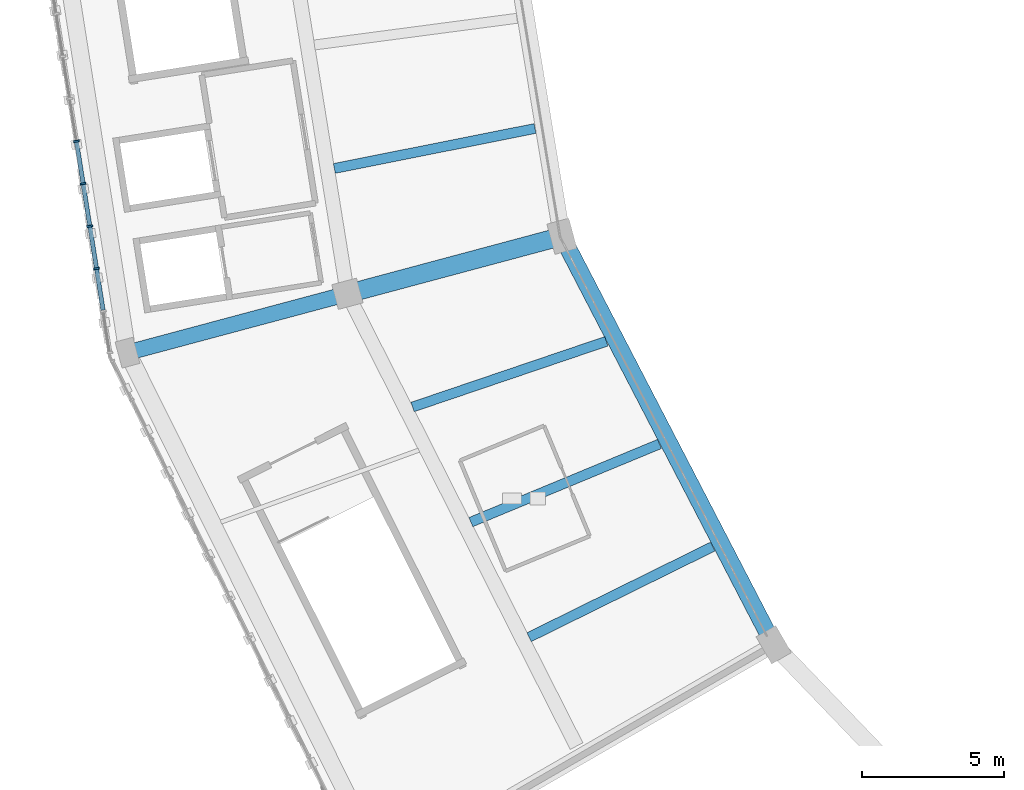
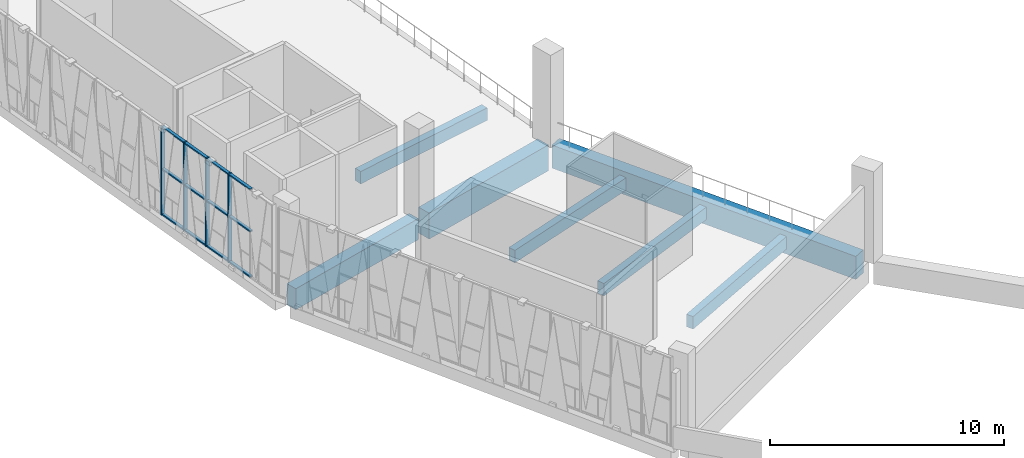
# One storey, part 5 of 64: 16 members, 7 beams, 1 element without a shape of its own.
"""IFC4 building model written with IfcOpenShell, lengths in metres."""

import ifcopenshell
import ifcopenshell.guid

model = None  # the IFC model being written
_history = None  # IfcOwnerHistory: only IFC2X3 demands one
_inside = {}  # id of a spatial element -> (the spatial element, [elements in it])
_under = {}  # id of a project, library or spatial element -> (it, [spatial elements below it])
_declared = {}  # id of a project -> (the project, [libraries it declares])
_typed = {}  # id of a type object -> (the type object, [elements of that type])
_made_of = {}  # id of a material, layer set ... -> (it, [elements and type objects made of it])


def new_model(schema):
    """Start an empty IFC model of exactly this schema.

    Asked for "IFC4X3", IfcOpenShell would pick the latest addendum, in which some entities
    have other attributes; the version numbers below select the first issue.
    IFC2X3 requires an IfcOwnerHistory on every rooted entity: one is made here for all.
    """
    global model, _history
    if schema == "IFC4X3":
        model = ifcopenshell.file(schema_version=(4, 3, 0, 0))
    else:
        model = ifcopenshell.file(schema=schema)
    _inside.clear()
    _under.clear()
    _declared.clear()
    _typed.clear()
    _made_of.clear()
    _history = None
    if model.schema == "IFC2X3":
        org = make("IfcOrganization", Name="unknown")
        user = make(
            "IfcPersonAndOrganization",
            ThePerson=make("IfcPerson", FamilyName="unknown"),
            TheOrganization=org,
        )
        app = make(
            "IfcApplication",
            ApplicationDeveloper=org,
            Version="unknown",
            ApplicationFullName="unknown",
            ApplicationIdentifier="unknown",
        )
        _history = make(
            "IfcOwnerHistory",
            OwningUser=user,
            OwningApplication=app,
            ChangeAction="ADDED",
            CreationDate=0,
        )
    return model


def make(cls, **values):
    """One entity of the class cls with the attributes given. An attribute that is None is left unset."""
    return model.create_entity(
        cls, **{name: value for name, value in values.items() if value is not None}
    )


def rooted(cls, **values):
    """An entity with a GlobalId (a new one), such as an element, a storey or a relation."""
    return make(cls, GlobalId=ifcopenshell.guid.new(), OwnerHistory=_history, **values)


def si_unit(unit_type, name, prefix=None):
    """IfcSIUnit, for example si_unit("LENGTHUNIT", "METRE", prefix="MILLI")."""
    return make("IfcSIUnit", UnitType=unit_type, Prefix=prefix, Name=name)


def assignment(units):
    """IfcUnitAssignment: the units of a project."""
    return None if units is None else make("IfcUnitAssignment", Units=units)


def point(xyz):
    """IfcCartesianPoint."""
    return None if xyz is None else make("IfcCartesianPoint", Coordinates=xyz)


def direction(xyz):
    """IfcDirection."""
    return None if xyz is None else make("IfcDirection", DirectionRatios=xyz)


def frame(location, z_axis=None, x_axis=None):
    """IfcAxis2Placement3D, a coordinate frame: its origin and axes. An axis left out is left unset."""
    return make(
        "IfcAxis2Placement3D",
        Location=point(location),
        Axis=direction(z_axis),
        RefDirection=direction(x_axis),
    )


def frame_2d(location, x_axis=None):
    """IfcAxis2Placement2D, a coordinate frame in the plane: its origin and x axis."""
    return make(
        "IfcAxis2Placement2D", Location=point(location), RefDirection=direction(x_axis)
    )


def origin():
    """The frame at (0, 0, 0) with its axes left unset."""
    return frame((0.0, 0.0, 0.0))


def origin_2d():
    """The frame at (0, 0) in the plane with its x axis left unset."""
    return frame_2d((0.0, 0.0))


def place(relative_to, where):
    """IfcLocalPlacement: puts the frame where relative to a parent placement (None: the world)."""
    return make(
        "IfcLocalPlacement", PlacementRelTo=relative_to, RelativePlacement=where
    )


def context(
    kind, dimensions, precision=None, world=None, true_north=None, identifier=None
):
    """IfcGeometricRepresentationContext, for example the 3D "Model" context."""
    return make(
        "IfcGeometricRepresentationContext",
        ContextIdentifier=identifier,
        ContextType=kind,
        CoordinateSpaceDimension=dimensions,
        Precision=precision,
        WorldCoordinateSystem=world,
        TrueNorth=true_north,
    )


def subcontext(parent, identifier, kind, view, scale=None):
    """IfcGeometricRepresentationSubContext, for example "Body" below "Model"."""
    return make(
        "IfcGeometricRepresentationSubContext",
        ContextIdentifier=identifier,
        ContextType=kind,
        ParentContext=parent,
        TargetScale=scale,
        TargetView=view,
    )


def project(units=None, contexts=None):
    """IfcProject with its units and contexts."""
    return rooted(
        "IfcProject",
        Name="project",
        RepresentationContexts=contexts,
        UnitsInContext=assignment(units),
    )


def spatial(cls, under=None, at=None, **own):
    """A site, building, storey or space (cls), placed at a placement, below another one or the project."""
    s = rooted(cls, ObjectPlacement=at, **own)
    if under is not None:
        _under.setdefault(under.id(), (under, []))[1].append(s)
    return s


def profile(cls, at=None, kind="AREA", **sizes):
    """A parametric profile (cls). Its sizes go by their IFC names, for example OverallWidth=200.0."""
    return make(cls, ProfileType=kind, Position=at, **sizes)


def rectangle(**sizes):
    """IfcRectangleProfileDef."""
    return profile("IfcRectangleProfileDef", **sizes)


def extrude(swept, where, along, depth):
    """IfcExtrudedAreaSolid: the profile swept, set in the frame where, extruded along a direction by depth."""
    return make(
        "IfcExtrudedAreaSolid",
        SweptArea=swept,
        Position=where,
        ExtrudedDirection=direction(along),
        Depth=depth,
    )


def shape(context_of_items, identifier, shape_type, items):
    """IfcShapeRepresentation: the items that make up one representation, for example the "Body"."""
    return make(
        "IfcShapeRepresentation",
        ContextOfItems=context_of_items,
        RepresentationIdentifier=identifier,
        RepresentationType=shape_type,
        Items=items,
    )


def material(Name=None, Category=None):
    """IfcMaterial."""
    return make("IfcMaterial", Name=Name, Category=Category)


def material_profile(
    of_material, cross_section, Name=None, Category=None, Priority=None
):
    """IfcMaterialProfile: a cross section and its material."""
    return make(
        "IfcMaterialProfile",
        Name=Name,
        Material=of_material,
        Profile=cross_section,
        Priority=Priority,
        Category=Category,
    )


def profile_set(profiles, Name=None, composite=None):
    """IfcMaterialProfileSet."""
    return make(
        "IfcMaterialProfileSet",
        Name=Name,
        MaterialProfiles=profiles,
        CompositeProfile=composite,
    )


def made_of(thing, what):
    """Note that an element or type object is made of a material, layer set ...; save() writes the relation."""
    if what is not None:
        _made_of.setdefault(what.id(), (what, []))[1].append(thing)
    return thing


def type_object(cls, material=None, **own):
    """A type object (cls), such as IfcWallType, which elements share."""
    return made_of(rooted(cls, **own), material)


def element(
    cls,
    number,
    at=None,
    inside=None,
    cuts=None,
    type_object=None,
    material=None,
    context=None,
    identifier="Body",
    shape_type=None,
    held_by="IfcProductDefinitionShape",
    body=None,
    shapes=None,
    **own,
):
    """One element of the class cls, such as IfcWall. Its Tag is "e" and its number.

    at: its placement. inside: the storey or other place that contains it. cuts: it is an
    opening in that element (IfcRelVoidsElement). A single representation is given by context,
    identifier, shape_type and body (its items); several are given by shapes. held_by: the class
    of the entity that holds the representations. save() writes the other relations.
    """
    e = rooted(cls, Tag="e%d" % number, ObjectPlacement=at, **own)
    if body is not None:
        shapes = [shape(context, identifier, shape_type, body)]
    if shapes is not None:
        e.Representation = make(held_by, Representations=shapes)
    if inside is not None:
        _inside.setdefault(inside.id(), (inside, []))[1].append(e)
    if cuts is not None:
        rooted(
            "IfcRelVoidsElement", RelatingBuildingElement=cuts, RelatedOpeningElement=e
        )
    if type_object is not None:
        _typed.setdefault(type_object.id(), (type_object, []))[1].append(e)
    return made_of(e, material)


def aggregate(whole, parts):
    """IfcRelAggregates: a whole, such as a stair, and the parts it consists of."""
    return rooted("IfcRelAggregates", RelatingObject=whole, RelatedObjects=parts)


def save(model, path):
    """Write the relations noted so far, then the file.

    IfcRelAggregates (storeys below a building ...), IfcRelContainedInSpatialStructure (elements
    in a storey), IfcRelDefinesByType, IfcRelAssociatesMaterial and IfcRelDeclares: one each for
    every whole, place, type object, material and project.
    """
    for whole, parts in _under.values():
        aggregate(whole, parts)
    for where, things in _inside.values():
        rooted(
            "IfcRelContainedInSpatialStructure",
            RelatedElements=things,
            RelatingStructure=where,
        )
    for kind, things in _typed.values():
        rooted("IfcRelDefinesByType", RelatedObjects=things, RelatingType=kind)
    for what, things in _made_of.values():
        rooted("IfcRelAssociatesMaterial", RelatedObjects=things, RelatingMaterial=what)
    for by, libraries in _declared.values():
        rooted("IfcRelDeclares", RelatingContext=by, RelatedDefinitions=libraries)
    model.write(path)


model = new_model("IFC4")

# Units and contexts
model_context = context("Model", 3, precision=1e-05, world=origin(), true_north=direction((0.0, 1.0)))
body_context = subcontext(model_context, "Body", "Model", "MODEL_VIEW")
ifc_project = project(units=[si_unit("LENGTHUNIT", "METRE"), si_unit("AREAUNIT", "SQUARE_METRE"), si_unit("VOLUMEUNIT", "CUBIC_METRE"), si_unit("PLANEANGLEUNIT", "RADIAN"), si_unit("MASSUNIT", "GRAM", prefix="KILO")], contexts=[model_context])

# Site, building, storey
site_placement = place(None, origin())
site = spatial("IfcSite", under=ifc_project, at=site_placement, CompositionType="ELEMENT")
building_placement = place(site_placement, origin())
building = spatial("IfcBuilding", under=site, at=building_placement, Name="Zevraka Park Crest Stadium", CompositionType="ELEMENT")
storey_placement = place(building_placement, frame((0.0, 0.0, 24.60009765625)))
storey = spatial("IfcBuildingStorey", under=building, at=storey_placement, Name="L05", CompositionType="ELEMENT", Elevation=24.60009765625)

# Beams
ifc_material_1 = material(Name="Concrete C40/50", Category="concrete")
ifc_material_profile_1 = material_profile(ifc_material_1, rectangle(XDim=0.64990234375, YDim=1.35009765625, at=origin_2d()), Name="RC 1350x650")
ifc_profile_set_1 = profile_set([ifc_material_profile_1], Name="Concrete C40/50")
beam_type_1 = type_object("IfcBeamType", Name="BG01", PredefinedType="BEAM", material=ifc_profile_set_1)
beam_1_placement = place(storey_placement, frame((39.7490234375, 76.52197265625, -0.68505859375), z_axis=(-0.965945630245, -0.258745124417, 0.0), x_axis=(0.258745124417, -0.965945630245, 0.0)))
element("IfcBeam", 1, at=beam_1_placement, inside=storey, type_object=beam_type_1, Name="Radial Girder BG01 L05-BC-13", PredefinedType="BEAM", context=body_context, shape_type="SweptSolid", body=[
    extrude(rectangle(XDim=0.64990234375, YDim=1.35009765625, at=origin_2d()), origin(), (0.0, 0.0, 1.0), 7.2001953125),
])
ifc_material_2 = material(Name="Concrete C40/50", Category="concrete")
ifc_material_profile_2 = material_profile(ifc_material_2, rectangle(XDim=0.550048828125, YDim=1.10009765625, at=origin_2d()), Name="RC 1100x550")
ifc_profile_set_2 = profile_set([ifc_material_profile_2], Name="Concrete C40/50")
beam_type_2 = type_object("IfcBeamType", Name="BG02", PredefinedType="BEAM", material=ifc_profile_set_2)
beam_2_placement = place(storey_placement, frame((32.214111328125, 74.5029296875, -0.56005859375), z_axis=(-0.965968812251, -0.258658565986, 0.0), x_axis=(0.258658565986, -0.965968812251, 0.0)))
element("IfcBeam", 2, at=beam_2_placement, inside=storey, type_object=beam_type_2, Name="Radial Girder BG02 L05-CD-13", PredefinedType="BEAM", context=body_context, shape_type="SweptSolid", body=[
    extrude(rectangle(XDim=0.550048828125, YDim=1.10009765625, at=origin_2d()), origin(), (0.0, 0.0, 1.0), 7.39892578125),
])

# Curtain wall, members
ifc_material_3 = material(Name="Anodised architectural aluminium and laminated safety glass", Category="aluminium")
curtain_wall_type = type_object("IfcCurtainWallType", Name="CW21", PredefinedType="NOTDEFINED", material=ifc_material_3)
curtain_wall_placement = place(storey_placement, origin())
curtain_wall = element("IfcCurtainWall", 3, at=curtain_wall_placement, inside=storey, type_object=curtain_wall_type, Name="Unitised Ring Curtain Wall CW21 L05-12", PredefinedType="NOTDEFINED")
ifc_material_4 = material(Name="Anodised architectural aluminium", Category="aluminium")
ifc_material_profile_3 = material_profile(ifc_material_4, rectangle(XDim=0.199951171875, YDim=0.070068359375, at=origin_2d()), Name="ALU MULLION 200x70")
ifc_profile_set_3 = profile_set([ifc_material_profile_3], Name="Anodised architectural aluminium")
member_type_1 = type_object("IfcMemberType", Name="CM03", PredefinedType="MULLION", material=ifc_profile_set_3)
member_1_placement = place(storey_placement, frame((22.982177734375, 79.93994140625, 0.0), z_axis=(0.0, 0.0, 1.0), x_axis=(0.987802580924, 0.155711467527, 0.0)))
member_1 = element("IfcMember", 4, at=member_1_placement, type_object=member_type_1, Name="CW21 mullion 9", PredefinedType="MULLION", context=body_context, shape_type="SweptSolid", body=[
    extrude(rectangle(XDim=0.199951171875, YDim=0.070068359375, at=origin_2d()), origin(), (0.0, 0.0, 1.0), 4.619873046875),
])
member_2_placement = place(storey_placement, frame((23.21728515625, 78.447998046875, 0.0), z_axis=(0.0, 0.0, 1.0), x_axis=(0.987802580924, 0.155711467527, 0.0)))
member_2 = element("IfcMember", 5, at=member_2_placement, type_object=member_type_1, Name="CW21 mullion 10", PredefinedType="MULLION", context=body_context, shape_type="SweptSolid", body=[
    extrude(rectangle(XDim=0.199951171875, YDim=0.070068359375, at=origin_2d()), origin(), (0.0, 0.0, 1.0), 4.619873046875),
])
member_3_placement = place(storey_placement, frame((23.45263671875, 76.956298828125, 0.0), z_axis=(0.0, 0.0, 1.0), x_axis=(0.987802580924, 0.155711467527, 0.0)))
member_3 = element("IfcMember", 6, at=member_3_placement, type_object=member_type_1, Name="CW21 mullion 11", PredefinedType="MULLION", context=body_context, shape_type="SweptSolid", body=[
    extrude(rectangle(XDim=0.199951171875, YDim=0.070068359375, at=origin_2d()), origin(), (0.0, 0.0, 1.0), 4.619873046875),
])
member_4_placement = place(storey_placement, frame((23.687744140625, 75.464599609375, 0.0), z_axis=(0.0, 0.0, 1.0), x_axis=(0.987802580924, 0.155711467527, 0.0)))
member_4 = element("IfcMember", 7, at=member_4_placement, type_object=member_type_1, Name="CW21 mullion 12", PredefinedType="MULLION", context=body_context, shape_type="SweptSolid", body=[
    extrude(rectangle(XDim=0.199951171875, YDim=0.070068359375, at=origin_2d()), origin(), (0.0, 0.0, 1.0), 4.619873046875),
])
ifc_material_5 = material(Name="Anodised architectural aluminium", Category="aluminium")
ifc_material_profile_4 = material_profile(ifc_material_5, rectangle(XDim=0.14990234375, YDim=0.070068359375, at=origin_2d()), Name="ALU TRANSOM 150x70")
ifc_profile_set_4 = profile_set([ifc_material_profile_4], Name="Anodised architectural aluminium")
member_type_2 = type_object("IfcMemberType", Name="CT03", PredefinedType="USERDEFINED", material=ifc_profile_set_4)
member_5_placement = place(storey_placement, frame((22.98779296875, 79.9052734375, 0.034912109375), z_axis=(0.155623058031, -0.98781651323, 0.0), x_axis=(0.98781651323, 0.155623058031, 0.0)))
member_5 = element("IfcMember", 8, at=member_5_placement, type_object=member_type_2, Name="CW21 transom 9.1", ObjectType="TRANSOM", PredefinedType="USERDEFINED", context=body_context, shape_type="SweptSolid", body=[
    extrude(rectangle(XDim=0.14990234375, YDim=0.070068359375, at=origin_2d()), origin(), (0.0, 0.0, 1.0), 1.440185546875),
])
member_6_placement = place(storey_placement, frame((22.98779296875, 79.9052734375, 2.39990234375), z_axis=(0.155623058031, -0.98781651323, 0.0), x_axis=(0.98781651323, 0.155623058031, 0.0)))
member_6 = element("IfcMember", 9, at=member_6_placement, type_object=member_type_2, Name="CW21 transom 9.2", ObjectType="TRANSOM", PredefinedType="USERDEFINED", context=body_context, shape_type="SweptSolid", body=[
    extrude(rectangle(XDim=0.14990234375, YDim=0.070068359375, at=origin_2d()), origin(), (0.0, 0.0, 1.0), 1.440185546875),
])
member_7_placement = place(storey_placement, frame((22.98779296875, 79.9052734375, 4.5849609375), z_axis=(0.155623058031, -0.98781651323, 0.0), x_axis=(0.98781651323, 0.155623058031, 0.0)))
member_7 = element("IfcMember", 10, at=member_7_placement, type_object=member_type_2, Name="CW21 transom 9.3", ObjectType="TRANSOM", PredefinedType="USERDEFINED", context=body_context, shape_type="SweptSolid", body=[
    extrude(rectangle(XDim=0.14990234375, YDim=0.070068359375, at=origin_2d()), origin(), (0.0, 0.0, 1.0), 1.440185546875),
])
member_8_placement = place(storey_placement, frame((23.222900390625, 78.41357421875, 0.034912109375), z_axis=(0.155623058031, -0.98781651323, 0.0), x_axis=(0.98781651323, 0.155623058031, 0.0)))
member_8 = element("IfcMember", 11, at=member_8_placement, type_object=member_type_2, Name="CW21 transom 10.1", ObjectType="TRANSOM", PredefinedType="USERDEFINED", context=body_context, shape_type="SweptSolid", body=[
    extrude(rectangle(XDim=0.14990234375, YDim=0.070068359375, at=origin_2d()), origin(), (0.0, 0.0, 1.0), 1.440185546875),
])
member_9_placement = place(storey_placement, frame((23.222900390625, 78.41357421875, 2.39990234375), z_axis=(0.155623058031, -0.98781651323, 0.0), x_axis=(0.98781651323, 0.155623058031, 0.0)))
member_9 = element("IfcMember", 12, at=member_9_placement, type_object=member_type_2, Name="CW21 transom 10.2", ObjectType="TRANSOM", PredefinedType="USERDEFINED", context=body_context, shape_type="SweptSolid", body=[
    extrude(rectangle(XDim=0.14990234375, YDim=0.070068359375, at=origin_2d()), origin(), (0.0, 0.0, 1.0), 1.440185546875),
])
member_10_placement = place(storey_placement, frame((23.222900390625, 78.41357421875, 4.5849609375), z_axis=(0.155623058031, -0.98781651323, 0.0), x_axis=(0.98781651323, 0.155623058031, 0.0)))
member_10 = element("IfcMember", 13, at=member_10_placement, type_object=member_type_2, Name="CW21 transom 10.3", ObjectType="TRANSOM", PredefinedType="USERDEFINED", context=body_context, shape_type="SweptSolid", body=[
    extrude(rectangle(XDim=0.14990234375, YDim=0.070068359375, at=origin_2d()), origin(), (0.0, 0.0, 1.0), 1.440185546875),
])
member_11_placement = place(storey_placement, frame((23.4580078125, 76.921630859375, 0.034912109375), z_axis=(0.155623058031, -0.98781651323, 0.0), x_axis=(0.98781651323, 0.155623058031, 0.0)))
member_11 = element("IfcMember", 14, at=member_11_placement, type_object=member_type_2, Name="CW21 transom 11.1", ObjectType="TRANSOM", PredefinedType="USERDEFINED", context=body_context, shape_type="SweptSolid", body=[
    extrude(rectangle(XDim=0.14990234375, YDim=0.070068359375, at=origin_2d()), origin(), (0.0, 0.0, 1.0), 1.440185546875),
])
member_12_placement = place(storey_placement, frame((23.4580078125, 76.921630859375, 2.39990234375), z_axis=(0.155623058031, -0.98781651323, 0.0), x_axis=(0.98781651323, 0.155623058031, 0.0)))
member_12 = element("IfcMember", 15, at=member_12_placement, type_object=member_type_2, Name="CW21 transom 11.2", ObjectType="TRANSOM", PredefinedType="USERDEFINED", context=body_context, shape_type="SweptSolid", body=[
    extrude(rectangle(XDim=0.14990234375, YDim=0.070068359375, at=origin_2d()), origin(), (0.0, 0.0, 1.0), 1.440185546875),
])
member_13_placement = place(storey_placement, frame((23.4580078125, 76.921630859375, 4.5849609375), z_axis=(0.155623058031, -0.98781651323, 0.0), x_axis=(0.98781651323, 0.155623058031, 0.0)))
member_13 = element("IfcMember", 16, at=member_13_placement, type_object=member_type_2, Name="CW21 transom 11.3", ObjectType="TRANSOM", PredefinedType="USERDEFINED", context=body_context, shape_type="SweptSolid", body=[
    extrude(rectangle(XDim=0.14990234375, YDim=0.070068359375, at=origin_2d()), origin(), (0.0, 0.0, 1.0), 1.440185546875),
])
member_14_placement = place(storey_placement, frame((23.693115234375, 75.429931640625, 0.034912109375), z_axis=(0.155788469887, -0.987790439643, 0.0), x_axis=(0.987790439643, 0.155788469887, 0.0)))
member_14 = element("IfcMember", 17, at=member_14_placement, type_object=member_type_2, Name="CW21 transom 12.1", ObjectType="TRANSOM", PredefinedType="USERDEFINED", context=body_context, shape_type="SweptSolid", body=[
    extrude(rectangle(XDim=0.14990234375, YDim=0.070068359375, at=origin_2d()), origin(), (0.0, 0.0, 1.0), 1.440185546875),
])
member_15_placement = place(storey_placement, frame((23.693115234375, 75.429931640625, 2.39990234375), z_axis=(0.155788469887, -0.987790439643, 0.0), x_axis=(0.987790439643, 0.155788469887, 0.0)))
member_15 = element("IfcMember", 18, at=member_15_placement, type_object=member_type_2, Name="CW21 transom 12.2", ObjectType="TRANSOM", PredefinedType="USERDEFINED", context=body_context, shape_type="SweptSolid", body=[
    extrude(rectangle(XDim=0.14990234375, YDim=0.070068359375, at=origin_2d()), origin(), (0.0, 0.0, 1.0), 1.440185546875),
])
member_16_placement = place(storey_placement, frame((23.693115234375, 75.429931640625, 4.5849609375), z_axis=(0.155788469887, -0.987790439643, 0.0), x_axis=(0.987790439643, 0.155788469887, 0.0)))
member_16 = element("IfcMember", 19, at=member_16_placement, type_object=member_type_2, Name="CW21 transom 12.3", ObjectType="TRANSOM", PredefinedType="USERDEFINED", context=body_context, shape_type="SweptSolid", body=[
    extrude(rectangle(XDim=0.14990234375, YDim=0.070068359375, at=origin_2d()), origin(), (0.0, 0.0, 1.0), 1.440185546875),
])
aggregate(curtain_wall, [member_1, member_2, member_3, member_4, member_5, member_6, member_7, member_8, member_9, member_10, member_11, member_12, member_13, member_14, member_15, member_16])

# Beams
ifc_material_6 = material(Name="Concrete C40/50", Category="concrete")
ifc_material_profile_5 = material_profile(ifc_material_6, rectangle(XDim=0.60009765625, YDim=1.199951171875, at=origin_2d()), Name="RC 1200x600")
ifc_profile_set_5 = profile_set([ifc_material_profile_5], Name="Concrete C40/50")
beam_type_3 = type_object("IfcBeamType", Name="RB01", PredefinedType="BEAM", material=ifc_profile_set_5)
beam_3_placement = place(storey_placement, frame((40.214111328125, 76.262939453125, -0.610107421875), z_axis=(0.460343993973, -0.887740619333, 0.0), x_axis=(0.887740619333, 0.460343993973, 0.0)))
element("IfcBeam", 20, at=beam_3_placement, inside=storey, type_object=beam_type_3, Name="Ring Beam RB01 L05-B-13", PredefinedType="BEAM", context=body_context, shape_type="SweptSolid", body=[
    extrude(rectangle(XDim=0.60009765625, YDim=1.199951171875, at=origin_2d()), origin(), (0.0, 0.0, 1.0), 15.405517578125),
])
ifc_material_7 = material(Name="Concrete C40/50", Category="concrete")
ifc_material_profile_6 = material_profile(ifc_material_7, rectangle(XDim=0.35009765625, YDim=0.64990234375, at=origin_2d()), Name="RC 650x350")
ifc_profile_set_6 = profile_set([ifc_material_profile_6], Name="Concrete C40/50")
beam_type_4 = type_object("IfcBeamType", Name="SJ06", PredefinedType="JOIST", material=ifc_profile_set_6)
beam_4_placement = place(storey_placement, frame((39.094970703125, 80.387939453125, -0.593017578125), z_axis=(-0.98075007635, -0.195267221364, 0.0), x_axis=(0.195267221364, -0.98075007635, 0.0)))
element("IfcBeam", 21, at=beam_4_placement, inside=storey, type_object=beam_type_4, Name="Floor Joist SJ06 L05-BC-12-3", PredefinedType="JOIST", context=body_context, shape_type="SweptSolid", body=[
    extrude(rectangle(XDim=0.35009765625, YDim=0.64990234375, at=origin_2d()), origin(), (0.0, 0.0, 1.0), 7.1904296875),
])
beam_5_placement = place(storey_placement, frame((41.60107421875, 72.910888671875, -0.593017578125), z_axis=(-0.947037352852, -0.321123422227, 0.0), x_axis=(0.321123422227, -0.947037352852, 0.0)))
element("IfcBeam", 22, at=beam_5_placement, inside=storey, type_object=beam_type_4, Name="Floor Joist SJ06 L05-BC-13-1", PredefinedType="JOIST", context=body_context, shape_type="SweptSolid", body=[
    extrude(rectangle(XDim=0.35009765625, YDim=0.64990234375, at=origin_2d()), origin(), (0.0, 0.0, 1.0), 7.18994140625),
])
beam_6_placement = place(storey_placement, frame((43.468994140625, 69.303955078125, -0.593017578125), z_axis=(-0.923904434651, -0.382623307749, 0.0), x_axis=(0.382623307749, -0.923904434651, 0.0)))
element("IfcBeam", 23, at=beam_6_placement, inside=storey, type_object=beam_type_4, Name="Floor Joist SJ06 L05-BC-13-2", PredefinedType="JOIST", context=body_context, shape_type="SweptSolid", body=[
    extrude(rectangle(XDim=0.35009765625, YDim=0.64990234375, at=origin_2d()), origin(), (0.0, 0.0, 1.0), 7.173828125),
])
beam_7_placement = place(storey_placement, frame((45.337890625, 65.697998046875, -0.593017578125), z_axis=(-0.89675774001, -0.442521813849, 0.0), x_axis=(0.442521813849, -0.89675774001, 0.0)))
element("IfcBeam", 24, at=beam_7_placement, inside=storey, type_object=beam_type_4, Name="Floor Joist SJ06 L05-BC-13-3", PredefinedType="JOIST", context=body_context, shape_type="SweptSolid", body=[
    extrude(rectangle(XDim=0.35009765625, YDim=0.64990234375, at=origin_2d()), origin(), (0.0, 0.0, 1.0), 7.1904296875),
])

save(model, "model.ifc")
